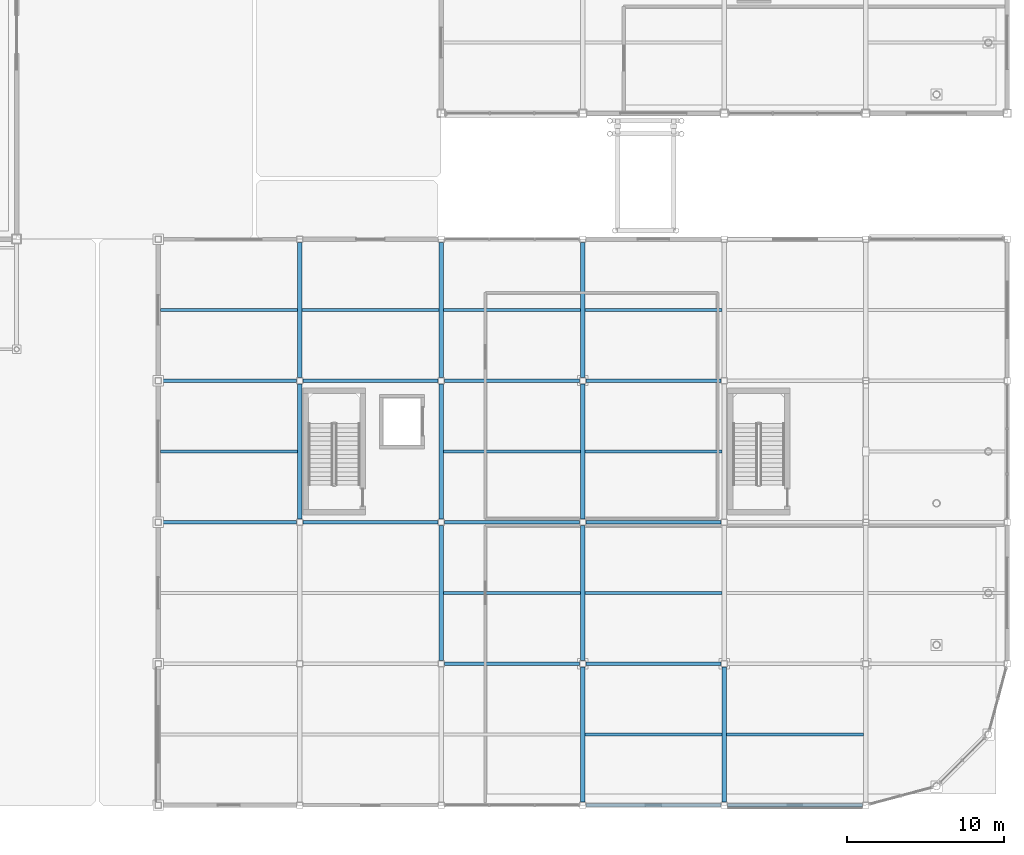
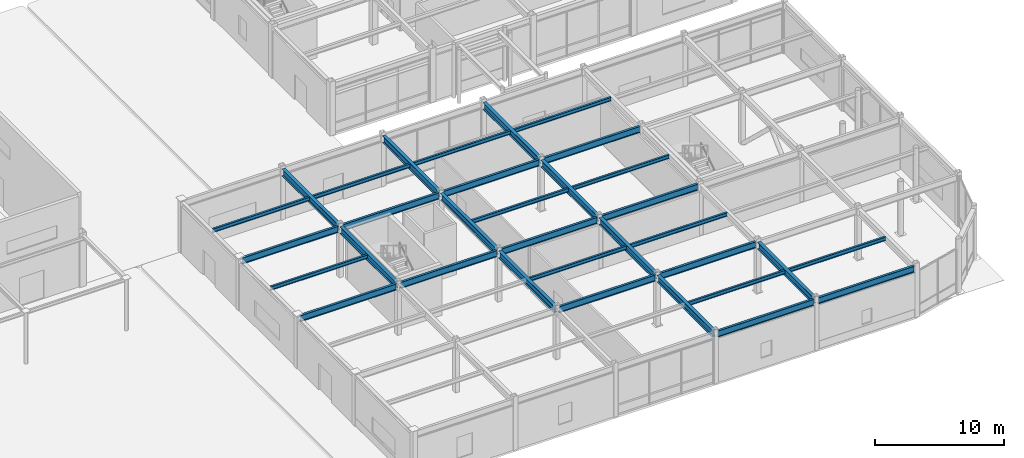
# One storey, part 55 of 123: 33 beams.
"""IFC4 building model written with IfcOpenShell, lengths in metres."""

from ifc_helpers import new_model, si_unit, direction, frame, origin, origin_2d, place, context, subcontext, project, spatial, i_section, extrude, material, material_profile, profile_set, type_object, element, save


model = new_model("IFC4")

# Units and contexts
model_context = context("Model", 3, precision=1e-05, world=origin(), true_north=direction((0.0, 1.0)))
body_context = subcontext(model_context, "Body", "Model", "MODEL_VIEW")
ifc_project = project(units=[si_unit("LENGTHUNIT", "METRE"), si_unit("AREAUNIT", "SQUARE_METRE"), si_unit("VOLUMEUNIT", "CUBIC_METRE"), si_unit("PLANEANGLEUNIT", "RADIAN"), si_unit("MASSUNIT", "GRAM", prefix="KILO")], contexts=[model_context])

# Site, building, storey
site_placement = place(None, origin())
site = spatial("IfcSite", under=ifc_project, at=site_placement, CompositionType="ELEMENT")
building_placement = place(site_placement, origin())
building = spatial("IfcBuilding", under=site, at=building_placement, Name="Suzunagisa Mobility Hub", CompositionType="ELEMENT")
storey_placement = place(building_placement, origin())
storey = spatial("IfcBuildingStorey", under=building, at=storey_placement, Name="L00", CompositionType="ELEMENT", Elevation=0.0)

# Beams
ifc_material_1 = material(Name="Steel SN400B", Category="steel")
ifc_material_profile_1 = material_profile(ifc_material_1, i_section(OverallWidth=0.175048828125, OverallDepth=0.35009765625, WebThickness=0.007080078125, FlangeThickness=0.010986328125, FilletRadius=0.008056640625, at=origin_2d()), Name="H-350x175x7x11")
ifc_profile_set_1 = profile_set([ifc_material_profile_1], Name="Steel SN400B")
beam_type_1 = type_object("IfcBeamType", Name="Steel Beam BM-03 H-350x175x7x11", PredefinedType="JOIST", material=ifc_profile_set_1)
for number, where, z_axis, x_axis, name in (
    (1, (135.14990234375, 31.5, 4.6650390625), (1.0, 0.0, 0.0), (0.0, 1.0, 0.0), "L00 Composite Floor Joist J-1442"),
    (2, (144.14990234375, 13.5, 4.6650390625), (1.0, 0.0, 0.0), (0.0, 1.0, 0.0), "L00 Composite Floor Joist J-1444"),
    (3, (144.14990234375, 22.5, 4.6650390625), (1.0, 0.0, 0.0), (0.0, 1.0, 0.0), "L00 Composite Floor Joist J-1445"),
    (4, (144.14990234375, 31.5, 4.6650390625), (1.0, 0.0, 0.0), (0.0, 1.0, 0.0), "L00 Composite Floor Joist J-1446"),
    (5, (153.14990234375, 4.5, 4.6650390625), (1.0, 0.0, 0.0), (0.0, 1.0, 0.0), "L00 Composite Floor Joist J-1447"),
    (6, (153.14990234375, 13.5, 4.6650390625), (1.0, 0.0, 0.0), (0.0, 1.0, 0.0), "L00 Composite Floor Joist J-1448"),
    (7, (153.14990234375, 22.5, 4.6650390625), (1.0, 0.0, 0.0), (0.0, 1.0, 0.0), "L00 Composite Floor Joist J-1449"),
    (8, (153.14990234375, 31.5, 4.6650390625), (1.0, 0.0, 0.0), (0.0, 1.0, 0.0), "L00 Composite Floor Joist J-1450"),
    (9, (162.14990234375, 4.5, 4.6650390625), (1.0, 0.0, 0.0), (0.0, 1.0, 0.0), "L00 Composite Floor Joist J-1451"),
    (10, (126.14990234375, 22.5, 4.6650390625), (1.0, 0.0, 0.0), (0.0, 1.0, 0.0), "L00 Composite Floor Joist J-1468"),
    (11, (126.14990234375, 31.5, 4.6650390625), (1.0, 0.0, 0.0), (0.0, 1.0, 0.0), "L00 Composite Floor Joist J-1469"),
):
    element("IfcBeam", number, at=place(storey_placement, frame(where, z_axis=z_axis, x_axis=x_axis)), inside=storey, type_object=beam_type_1, Name=name, PredefinedType="JOIST", context=body_context, shape_type="SweptSolid", body=[
        extrude(i_section(OverallWidth=0.175048828125, OverallDepth=0.35009765625, WebThickness=0.007080078125, FlangeThickness=0.010986328125, FilletRadius=0.008056640625, at=origin_2d()), origin(), (0.0, 0.0, 1.0), 8.7001953125),
    ])
ifc_material_2 = material(Name="Steel SN490B", Category="steel")
ifc_material_profile_2 = material_profile(ifc_material_2, i_section(OverallWidth=0.199951171875, OverallDepth=0.60009765625, WebThickness=0.010986328125, FlangeThickness=0.01708984375, FilletRadius=0.012939453125, at=origin_2d()), Name="H-600x200x11x17")
ifc_profile_set_2 = profile_set([ifc_material_profile_2], Name="Steel SN490B")
beam_type_2 = type_object("IfcBeamType", Name="Steel Beam BM-07 H-600x200x11x17", PredefinedType="BEAM", material=ifc_profile_set_2)
for number, where, z_axis, x_axis, name in (
    (12, (153.196044921875, 0.0, 4.5400390625), (1.0, 0.0, 0.0), (0.0, 1.0, 0.0), "L00 Primary Girder GX-1394"),
    (13, (162.196044921875, 0.0, 4.5400390625), (1.0, 0.0, 0.0), (0.0, 1.0, 0.0), "L00 Primary Girder GX-1395"),
    (14, (144.196044921875, 9.0, 4.5400390625), (1.0, 0.0, 0.0), (0.0, 1.0, 0.0), "L00 Primary Girder GX-1397"),
    (15, (153.196044921875, 9.0, 4.5400390625), (1.0, 0.0, 0.0), (0.0, 1.0, 0.0), "L00 Primary Girder GX-1398"),
    (16, (135.196044921875, 18.0, 4.5400390625), (1.0, 0.0, 0.0), (0.0, 1.0, 0.0), "L00 Primary Girder GX-1401"),
    (17, (144.196044921875, 18.0, 4.5400390625), (1.0, 0.0, 0.0), (0.0, 1.0, 0.0), "L00 Primary Girder GX-1402"),
    (18, (153.196044921875, 18.0, 4.5400390625), (1.0, 0.0, 0.0), (0.0, 1.0, 0.0), "L00 Primary Girder GX-1403"),
    (19, (135.196044921875, 27.0, 4.5400390625), (1.0, 0.0, 0.0), (0.0, 1.0, 0.0), "L00 Primary Girder GX-1406"),
    (20, (144.196044921875, 27.0, 4.5400390625), (1.0, 0.0, 0.0), (0.0, 1.0, 0.0), "L00 Primary Girder GX-1407"),
    (21, (153.196044921875, 27.0, 4.5400390625), (1.0, 0.0, 0.0), (0.0, 1.0, 0.0), "L00 Primary Girder GX-1408"),
    (22, (126.196044921875, 18.0, 4.5400390625), (1.0, 0.0, 0.0), (0.0, 1.0, 0.0), "L00 Primary Girder GX-1459"),
    (23, (126.196044921875, 27.0, 4.5400390625), (1.0, 0.0, 0.0), (0.0, 1.0, 0.0), "L00 Primary Girder GX-1460"),
):
    element("IfcBeam", number, at=place(storey_placement, frame(where, z_axis=z_axis, x_axis=x_axis)), inside=storey, type_object=beam_type_2, Name=name, PredefinedType="BEAM", context=body_context, shape_type="SweptSolid", body=[
        extrude(i_section(OverallWidth=0.199951171875, OverallDepth=0.60009765625, WebThickness=0.010986328125, FlangeThickness=0.01708984375, FilletRadius=0.012939453125, at=origin_2d()), origin(), (0.0, 0.0, 1.0), 8.60791015625),
    ])
ifc_material_profile_3 = material_profile(ifc_material_2, i_section(OverallWidth=0.300048828125, OverallDepth=0.64990234375, WebThickness=0.012939453125, FlangeThickness=0.02197265625, FilletRadius=0.01611328125, at=origin_2d()), Name="H-650x300x13x22")
ifc_profile_set_3 = profile_set([ifc_material_profile_3], Name="Steel SN490B")
beam_type_3 = type_object("IfcBeamType", Name="Steel Beam BM-10 H-650x300x13x22", PredefinedType="BEAM", material=ifc_profile_set_3)
for number, where, z_axis, x_axis, name in (
    (24, (135.0, 18.196044921875, 4.514892578125), (0.0, 1.0, 0.0), (-1.0, 0.0, 0.0), "L00 Primary Girder GY-1418"),
    (25, (135.0, 27.196044921875, 4.514892578125), (0.0, 1.0, 0.0), (-1.0, 0.0, 0.0), "L00 Primary Girder GY-1419"),
    (26, (144.0, 9.196044921875, 4.514892578125), (0.0, 1.0, 0.0), (-1.0, 0.0, 0.0), "L00 Primary Girder GY-1421"),
    (27, (144.0, 18.196044921875, 4.514892578125), (0.0, 1.0, 0.0), (-1.0, 0.0, 0.0), "L00 Primary Girder GY-1422"),
    (28, (144.0, 27.196044921875, 4.514892578125), (0.0, 1.0, 0.0), (-1.0, 0.0, 0.0), "L00 Primary Girder GY-1423"),
    (29, (153.0, 0.196044921875, 4.514892578125), (0.0, 1.0, 0.0), (-1.0, 0.0, 0.0), "L00 Primary Girder GY-1424"),
    (30, (153.0, 9.196044921875, 4.514892578125), (0.0, 1.0, 0.0), (-1.0, 0.0, 0.0), "L00 Primary Girder GY-1425"),
    (31, (153.0, 18.196044921875, 4.514892578125), (0.0, 1.0, 0.0), (-1.0, 0.0, 0.0), "L00 Primary Girder GY-1426"),
    (32, (153.0, 27.196044921875, 4.514892578125), (0.0, 1.0, 0.0), (-1.0, 0.0, 0.0), "L00 Primary Girder GY-1427"),
    (33, (162.0, 0.196044921875, 4.514892578125), (0.0, 1.0, 0.0), (-1.0, 0.0, 0.0), "L00 Primary Girder GY-1428"),
):
    element("IfcBeam", number, at=place(storey_placement, frame(where, z_axis=z_axis, x_axis=x_axis)), inside=storey, type_object=beam_type_3, Name=name, PredefinedType="BEAM", context=body_context, shape_type="SweptSolid", body=[
        extrude(i_section(OverallWidth=0.300048828125, OverallDepth=0.64990234375, WebThickness=0.012939453125, FlangeThickness=0.02197265625, FilletRadius=0.01611328125, at=origin_2d()), origin(), (0.0, 0.0, 1.0), 8.60791015625),
    ])

save(model, "model.ifc")
